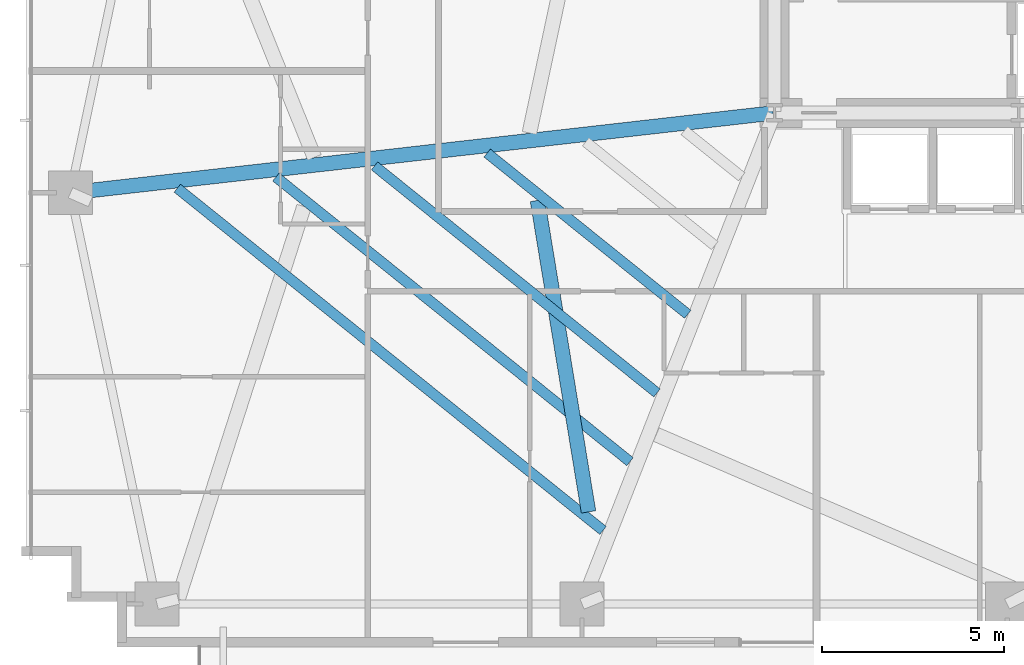
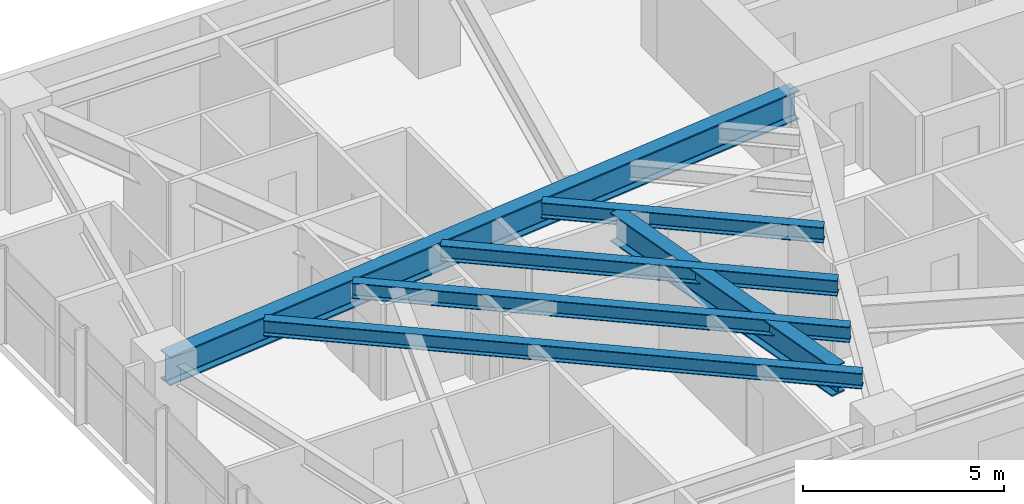
# One storey, part 5 of 25: 6 beams.
"""IFC4 building model written with IfcOpenShell, lengths in metres."""

import ifcopenshell
import ifcopenshell.guid

model = None  # the IFC model being written
_history = None  # IfcOwnerHistory: only IFC2X3 demands one
_inside = {}  # id of a spatial element -> (the spatial element, [elements in it])
_under = {}  # id of a project, library or spatial element -> (it, [spatial elements below it])
_declared = {}  # id of a project -> (the project, [libraries it declares])
_typed = {}  # id of a type object -> (the type object, [elements of that type])
_made_of = {}  # id of a material, layer set ... -> (it, [elements and type objects made of it])


def new_model(schema):
    """Start an empty IFC model of exactly this schema.

    Asked for "IFC4X3", IfcOpenShell would pick the latest addendum, in which some entities
    have other attributes; the version numbers below select the first issue.
    IFC2X3 requires an IfcOwnerHistory on every rooted entity: one is made here for all.
    """
    global model, _history
    if schema == "IFC4X3":
        model = ifcopenshell.file(schema_version=(4, 3, 0, 0))
    else:
        model = ifcopenshell.file(schema=schema)
    _inside.clear()
    _under.clear()
    _declared.clear()
    _typed.clear()
    _made_of.clear()
    _history = None
    if model.schema == "IFC2X3":
        org = make("IfcOrganization", Name="unknown")
        user = make(
            "IfcPersonAndOrganization",
            ThePerson=make("IfcPerson", FamilyName="unknown"),
            TheOrganization=org,
        )
        app = make(
            "IfcApplication",
            ApplicationDeveloper=org,
            Version="unknown",
            ApplicationFullName="unknown",
            ApplicationIdentifier="unknown",
        )
        _history = make(
            "IfcOwnerHistory",
            OwningUser=user,
            OwningApplication=app,
            ChangeAction="ADDED",
            CreationDate=0,
        )
    return model


def make(cls, **values):
    """One entity of the class cls with the attributes given. An attribute that is None is left unset."""
    return model.create_entity(
        cls, **{name: value for name, value in values.items() if value is not None}
    )


def rooted(cls, **values):
    """An entity with a GlobalId (a new one), such as an element, a storey or a relation."""
    return make(cls, GlobalId=ifcopenshell.guid.new(), OwnerHistory=_history, **values)


def si_unit(unit_type, name, prefix=None):
    """IfcSIUnit, for example si_unit("LENGTHUNIT", "METRE", prefix="MILLI")."""
    return make("IfcSIUnit", UnitType=unit_type, Prefix=prefix, Name=name)


def assignment(units):
    """IfcUnitAssignment: the units of a project."""
    return None if units is None else make("IfcUnitAssignment", Units=units)


def point(xyz):
    """IfcCartesianPoint."""
    return None if xyz is None else make("IfcCartesianPoint", Coordinates=xyz)


def direction(xyz):
    """IfcDirection."""
    return None if xyz is None else make("IfcDirection", DirectionRatios=xyz)


def frame(location, z_axis=None, x_axis=None):
    """IfcAxis2Placement3D, a coordinate frame: its origin and axes. An axis left out is left unset."""
    return make(
        "IfcAxis2Placement3D",
        Location=point(location),
        Axis=direction(z_axis),
        RefDirection=direction(x_axis),
    )


def frame_2d(location, x_axis=None):
    """IfcAxis2Placement2D, a coordinate frame in the plane: its origin and x axis."""
    return make(
        "IfcAxis2Placement2D", Location=point(location), RefDirection=direction(x_axis)
    )


def origin():
    """The frame at (0, 0, 0) with its axes left unset."""
    return frame((0.0, 0.0, 0.0))


def origin_2d():
    """The frame at (0, 0) in the plane with its x axis left unset."""
    return frame_2d((0.0, 0.0))


def place(relative_to, where):
    """IfcLocalPlacement: puts the frame where relative to a parent placement (None: the world)."""
    return make(
        "IfcLocalPlacement", PlacementRelTo=relative_to, RelativePlacement=where
    )


def context(
    kind, dimensions, precision=None, world=None, true_north=None, identifier=None
):
    """IfcGeometricRepresentationContext, for example the 3D "Model" context."""
    return make(
        "IfcGeometricRepresentationContext",
        ContextIdentifier=identifier,
        ContextType=kind,
        CoordinateSpaceDimension=dimensions,
        Precision=precision,
        WorldCoordinateSystem=world,
        TrueNorth=true_north,
    )


def subcontext(parent, identifier, kind, view, scale=None):
    """IfcGeometricRepresentationSubContext, for example "Body" below "Model"."""
    return make(
        "IfcGeometricRepresentationSubContext",
        ContextIdentifier=identifier,
        ContextType=kind,
        ParentContext=parent,
        TargetScale=scale,
        TargetView=view,
    )


def project(units=None, contexts=None):
    """IfcProject with its units and contexts."""
    return rooted(
        "IfcProject",
        Name="project",
        RepresentationContexts=contexts,
        UnitsInContext=assignment(units),
    )


def spatial(cls, under=None, at=None, **own):
    """A site, building, storey or space (cls), placed at a placement, below another one or the project."""
    s = rooted(cls, ObjectPlacement=at, **own)
    if under is not None:
        _under.setdefault(under.id(), (under, []))[1].append(s)
    return s


def profile(cls, at=None, kind="AREA", **sizes):
    """A parametric profile (cls). Its sizes go by their IFC names, for example OverallWidth=200.0."""
    return make(cls, ProfileType=kind, Position=at, **sizes)


def i_section(**sizes):
    """IfcIShapeProfileDef."""
    return profile("IfcIShapeProfileDef", **sizes)


def extrude(swept, where, along, depth):
    """IfcExtrudedAreaSolid: the profile swept, set in the frame where, extruded along a direction by depth."""
    return make(
        "IfcExtrudedAreaSolid",
        SweptArea=swept,
        Position=where,
        ExtrudedDirection=direction(along),
        Depth=depth,
    )


def shape(context_of_items, identifier, shape_type, items):
    """IfcShapeRepresentation: the items that make up one representation, for example the "Body"."""
    return make(
        "IfcShapeRepresentation",
        ContextOfItems=context_of_items,
        RepresentationIdentifier=identifier,
        RepresentationType=shape_type,
        Items=items,
    )


def source(mapping_origin, context_of_items, identifier, shape_type, items):
    """IfcRepresentationMap: a shape defined once, which mapped items show again and again."""
    return make(
        "IfcRepresentationMap",
        MappingOrigin=mapping_origin,
        MappedRepresentation=shape(context_of_items, identifier, shape_type, items),
    )


def transform(
    local_origin,
    x_axis=None,
    y_axis=None,
    z_axis=None,
    scale=None,
    scale2=None,
    scale3=None,
    uniform=True,
):
    """IfcCartesianTransformationOperator3D, or its non-uniform kind. x_axis, y_axis, z_axis: its Axis1, 2, 3."""
    if uniform:
        return make(
            "IfcCartesianTransformationOperator3D",
            Axis1=direction(x_axis),
            Axis2=direction(y_axis),
            LocalOrigin=point(local_origin),
            Scale=scale,
            Axis3=direction(z_axis),
        )
    return make(
        "IfcCartesianTransformationOperator3DnonUniform",
        Axis1=direction(x_axis),
        Axis2=direction(y_axis),
        LocalOrigin=point(local_origin),
        Scale=scale,
        Axis3=direction(z_axis),
        Scale2=scale2,
        Scale3=scale3,
    )


def mapped(mapping_source, mapping_target):
    """IfcMappedItem: shows the shape of a source again, moved by a transform."""
    return make(
        "IfcMappedItem", MappingSource=mapping_source, MappingTarget=mapping_target
    )


def material(Name=None, Category=None):
    """IfcMaterial."""
    return make("IfcMaterial", Name=Name, Category=Category)


def material_profile(
    of_material, cross_section, Name=None, Category=None, Priority=None
):
    """IfcMaterialProfile: a cross section and its material."""
    return make(
        "IfcMaterialProfile",
        Name=Name,
        Material=of_material,
        Profile=cross_section,
        Priority=Priority,
        Category=Category,
    )


def profile_set(profiles, Name=None, composite=None):
    """IfcMaterialProfileSet."""
    return make(
        "IfcMaterialProfileSet",
        Name=Name,
        MaterialProfiles=profiles,
        CompositeProfile=composite,
    )


def made_of(thing, what):
    """Note that an element or type object is made of a material, layer set ...; save() writes the relation."""
    if what is not None:
        _made_of.setdefault(what.id(), (what, []))[1].append(thing)
    return thing


def type_object(cls, material=None, **own):
    """A type object (cls), such as IfcWallType, which elements share."""
    return made_of(rooted(cls, **own), material)


def type_shapes(of_type, sources):
    """Give a type object the sources (RepresentationMaps) that its elements show as mapped items."""
    of_type.RepresentationMaps = sources


def element(
    cls,
    number,
    at=None,
    inside=None,
    cuts=None,
    type_object=None,
    material=None,
    context=None,
    identifier="Body",
    shape_type=None,
    held_by="IfcProductDefinitionShape",
    body=None,
    shapes=None,
    **own,
):
    """One element of the class cls, such as IfcWall. Its Tag is "e" and its number.

    at: its placement. inside: the storey or other place that contains it. cuts: it is an
    opening in that element (IfcRelVoidsElement). A single representation is given by context,
    identifier, shape_type and body (its items); several are given by shapes. held_by: the class
    of the entity that holds the representations. save() writes the other relations.
    """
    e = rooted(cls, Tag="e%d" % number, ObjectPlacement=at, **own)
    if body is not None:
        shapes = [shape(context, identifier, shape_type, body)]
    if shapes is not None:
        e.Representation = make(held_by, Representations=shapes)
    if inside is not None:
        _inside.setdefault(inside.id(), (inside, []))[1].append(e)
    if cuts is not None:
        rooted(
            "IfcRelVoidsElement", RelatingBuildingElement=cuts, RelatedOpeningElement=e
        )
    if type_object is not None:
        _typed.setdefault(type_object.id(), (type_object, []))[1].append(e)
    return made_of(e, material)


def aggregate(whole, parts):
    """IfcRelAggregates: a whole, such as a stair, and the parts it consists of."""
    return rooted("IfcRelAggregates", RelatingObject=whole, RelatedObjects=parts)


def save(model, path):
    """Write the relations noted so far, then the file.

    IfcRelAggregates (storeys below a building ...), IfcRelContainedInSpatialStructure (elements
    in a storey), IfcRelDefinesByType, IfcRelAssociatesMaterial and IfcRelDeclares: one each for
    every whole, place, type object, material and project.
    """
    for whole, parts in _under.values():
        aggregate(whole, parts)
    for where, things in _inside.values():
        rooted(
            "IfcRelContainedInSpatialStructure",
            RelatedElements=things,
            RelatingStructure=where,
        )
    for kind, things in _typed.values():
        rooted("IfcRelDefinesByType", RelatedObjects=things, RelatingType=kind)
    for what, things in _made_of.values():
        rooted("IfcRelAssociatesMaterial", RelatedObjects=things, RelatingMaterial=what)
    for by, libraries in _declared.values():
        rooted("IfcRelDeclares", RelatingContext=by, RelatedDefinitions=libraries)
    model.write(path)


model = new_model("IFC4")

# Units and contexts
model_context = context("Model", 3, precision=1e-05, world=origin(), true_north=direction((0.0, 1.0)))
body_context = subcontext(model_context, "Body", "Model", "MODEL_VIEW")
ifc_project = project(units=[si_unit("LENGTHUNIT", "METRE"), si_unit("AREAUNIT", "SQUARE_METRE"), si_unit("VOLUMEUNIT", "CUBIC_METRE"), si_unit("PLANEANGLEUNIT", "RADIAN"), si_unit("MASSUNIT", "GRAM", prefix="KILO")], contexts=[model_context])

# Site, building, storey
site_placement = place(None, origin())
site = spatial("IfcSite", under=ifc_project, at=site_placement, CompositionType="ELEMENT")
building_placement = place(site_placement, origin())
building = spatial("IfcBuilding", under=site, at=building_placement, Name="Astriad Promenade Condominiums", CompositionType="ELEMENT")
storey_placement = place(building_placement, frame((0.0, 0.0, 64.60009765625)))
storey = spatial("IfcBuildingStorey", under=building, at=storey_placement, Name="L18", CompositionType="ELEMENT", Elevation=64.60009765625)

# Beams
ifc_material = material(Name="Steel ASTM A992 Grade 50", Category="steel")
ifc_material_profile_1 = material_profile(ifc_material, i_section(OverallWidth=0.4013671875, OverallDepth=0.877197265625, WebThickness=0.022216796875, FlangeThickness=0.039794921875, FilletRadius=0.02294921875, at=origin_2d()), Name="W33X263")
ifc_profile_set_1 = profile_set([ifc_material_profile_1], Name="Steel ASTM A992 Grade 50")
beam_type_1 = type_object("IfcBeamType", Name="STEEL PRIMARY GIRDER W33X263", PredefinedType="BEAM", material=ifc_profile_set_1)
shared_shape_1 = source(origin(), body_context, "Body", "SweptSolid", [
    extrude(i_section(OverallWidth=0.4013671875, OverallDepth=0.877197265625, WebThickness=0.022216796875, FlangeThickness=0.039794921875, FilletRadius=0.02294921875, at=origin_2d()), origin(), (0.0, 0.0, 1.0), 19.424560546875),
])
type_shapes(beam_type_1, [shared_shape_1])
beam_1_placement = place(storey_placement, frame((7.059814453125, 15.20458984375, 2.461181640625), z_axis=(0.993618675315, 0.11279152479, 0.0), x_axis=(-0.11279152479, 0.993618675315, 0.0)))
element("IfcBeam", 1, at=beam_1_placement, inside=storey, type_object=beam_type_1, Name="Primary Floor Girder PG-WM-L18", PredefinedType="BEAM", context=body_context, shape_type="MappedRepresentation", body=[
    mapped(shared_shape_1, transform((0.0, 0.0, 0.0), scale=1.0)),
])
ifc_material_profile_2 = material_profile(ifc_material, i_section(OverallWidth=0.283203125, OverallDepth=0.47216796875, WebThickness=0.013671875, FlangeThickness=0.022216796875, FilletRadius=0.01513671875, at=origin_2d()), Name="W18X97")
ifc_profile_set_2 = profile_set([ifc_material_profile_2], Name="Steel ASTM A992 Grade 50")
beam_type_2 = type_object("IfcBeamType", Name="STEEL FLOOR JOIST W18X97", PredefinedType="JOIST", material=ifc_profile_set_2)
shared_shape_2 = source(origin(), body_context, "Body", "SweptSolid", [
    extrude(i_section(OverallWidth=0.283203125, OverallDepth=0.47216796875, WebThickness=0.013671875, FlangeThickness=0.022216796875, FilletRadius=0.01513671875, at=origin_2d()), origin(), (0.0, 0.0, 1.0), 15.033447265625),
])
beam_2_placement = place(storey_placement, frame((9.961181640625, 15.32470703125, 2.663818359375), z_axis=(0.779353434302, -0.626584570862, 0.0), x_axis=(0.626584570862, 0.779353434302, 0.0)))
element("IfcBeam", 2, at=beam_2_placement, inside=storey, type_object=beam_type_2, Name="Secondary Composite Floor Joist JW1-1-L18", PredefinedType="JOIST", context=body_context, shape_type="MappedRepresentation", body=[
    mapped(shared_shape_2, transform((0.0, 0.0, 0.0), scale=1.0)),
])
shared_shape_3 = source(origin(), body_context, "Body", "SweptSolid", [
    extrude(i_section(OverallWidth=0.283203125, OverallDepth=0.47216796875, WebThickness=0.013671875, FlangeThickness=0.022216796875, FilletRadius=0.01513671875, at=origin_2d()), origin(), (0.0, 0.0, 1.0), 12.50439453125),
])
beam_3_placement = place(storey_placement, frame((12.67431640625, 15.6328125, 2.663818359375), z_axis=(0.77935791062, -0.626579003122, 0.0), x_axis=(0.626579003122, 0.77935791062, 0.0)))
element("IfcBeam", 3, at=beam_3_placement, inside=storey, type_object=beam_type_2, Name="Secondary Composite Floor Joist JW1-2-L18", PredefinedType="JOIST", context=body_context, shape_type="MappedRepresentation", body=[
    mapped(shared_shape_3, transform((0.0, 0.0, 0.0), scale=1.0)),
])
shared_shape_4 = source(origin(), body_context, "Body", "SweptSolid", [
    extrude(i_section(OverallWidth=0.283203125, OverallDepth=0.47216796875, WebThickness=0.013671875, FlangeThickness=0.022216796875, FilletRadius=0.01513671875, at=origin_2d()), origin(), (0.0, 0.0, 1.0), 9.97509765625),
])
beam_4_placement = place(storey_placement, frame((15.387451171875, 15.94091796875, 2.663818359375), z_axis=(0.779355047887, -0.626582563859, 0.0), x_axis=(0.626582563859, 0.779355047887, 0.0)))
element("IfcBeam", 4, at=beam_4_placement, inside=storey, type_object=beam_type_2, Name="Secondary Composite Floor Joist JW1-3-L18", PredefinedType="JOIST", context=body_context, shape_type="MappedRepresentation", body=[
    mapped(shared_shape_4, transform((0.0, 0.0, 0.0), scale=1.0)),
])
shared_shape_5 = source(origin(), body_context, "Body", "SweptSolid", [
    extrude(i_section(OverallWidth=0.283203125, OverallDepth=0.47216796875, WebThickness=0.013671875, FlangeThickness=0.022216796875, FilletRadius=0.01513671875, at=origin_2d()), origin(), (0.0, 0.0, 1.0), 7.08447265625),
])
type_shapes(beam_type_2, [shared_shape_2, shared_shape_3, shared_shape_4, shared_shape_5])
beam_5_placement = place(storey_placement, frame((18.48828125, 16.292724609375, 2.663818359375), z_axis=(0.779353562297, -0.62658441166, 0.0), x_axis=(0.62658441166, 0.779353562297, 0.0)))
element("IfcBeam", 5, at=beam_5_placement, inside=storey, type_object=beam_type_2, Name="Secondary Composite Floor Joist JW1-4-L18", PredefinedType="JOIST", context=body_context, shape_type="MappedRepresentation", body=[
    mapped(shared_shape_5, transform((0.0, 0.0, 0.0), scale=1.0)),
])
ifc_material_profile_3 = material_profile(ifc_material, i_section(OverallWidth=0.4013671875, OverallDepth=0.877197265625, WebThickness=0.022216796875, FlangeThickness=0.039794921875, FilletRadius=0.02294921875, at=origin_2d()), Name="W33X263")
ifc_profile_set_3 = profile_set([ifc_material_profile_3], Name="Steel ASTM A992 Grade 50")
beam_type_3 = type_object("IfcBeamType", Name="STEEL TRANSFER CARRIER GIRDER W33X263", PredefinedType="BEAM", material=ifc_profile_set_3)
shared_shape_6 = source(origin(), body_context, "Body", "SweptSolid", [
    extrude(i_section(OverallWidth=0.4013671875, OverallDepth=0.877197265625, WebThickness=0.022216796875, FlangeThickness=0.039794921875, FilletRadius=0.02294921875, at=origin_2d()), origin(), (0.0, 0.0, 1.0), 8.6875),
])
type_shapes(beam_type_3, [shared_shape_6])
beam_6_placement = place(storey_placement, frame((19.873779296875, 14.988525390625, 2.461181640625), z_axis=(0.161759773127, -0.98683016563, 0.0), x_axis=(0.98683016563, 0.161759773127, 0.0)))
element("IfcBeam", 6, at=beam_6_placement, inside=storey, type_object=beam_type_3, Name="Transfer Splice Carrier TRM-SP-PC02-L18", PredefinedType="BEAM", context=body_context, shape_type="MappedRepresentation", body=[
    mapped(shared_shape_6, transform((0.0, 0.0, 0.0), scale=1.0)),
])

save(model, "model.ifc")
